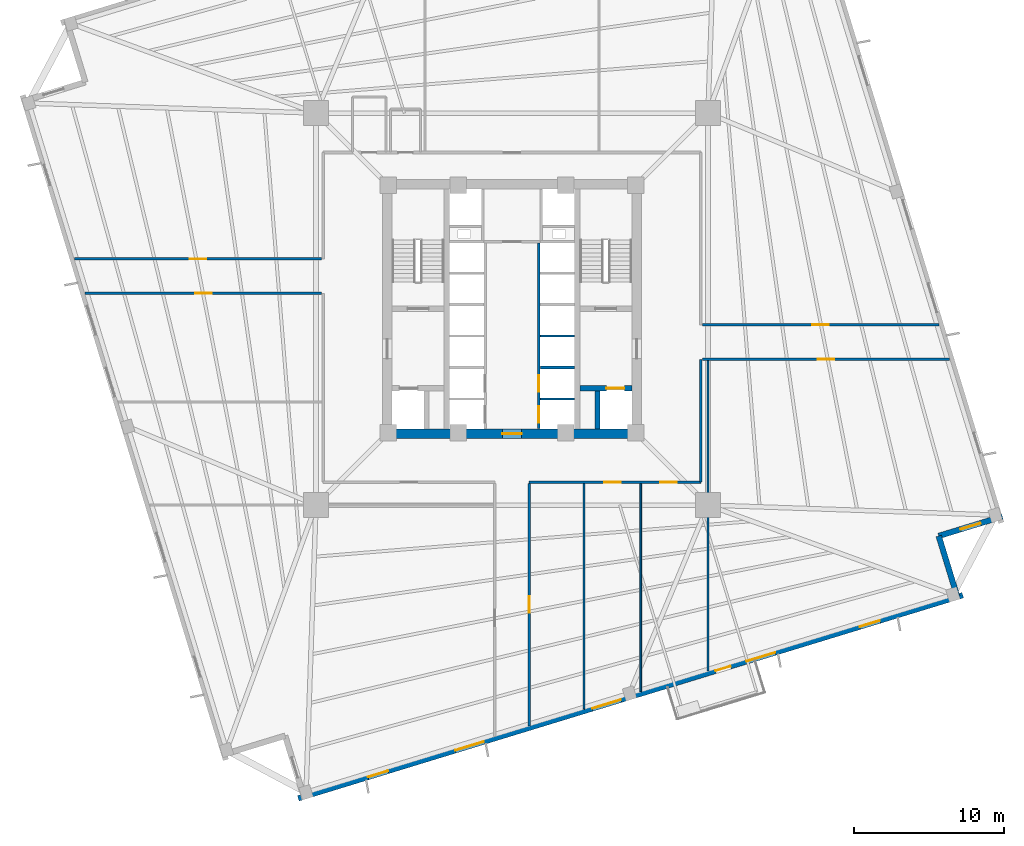
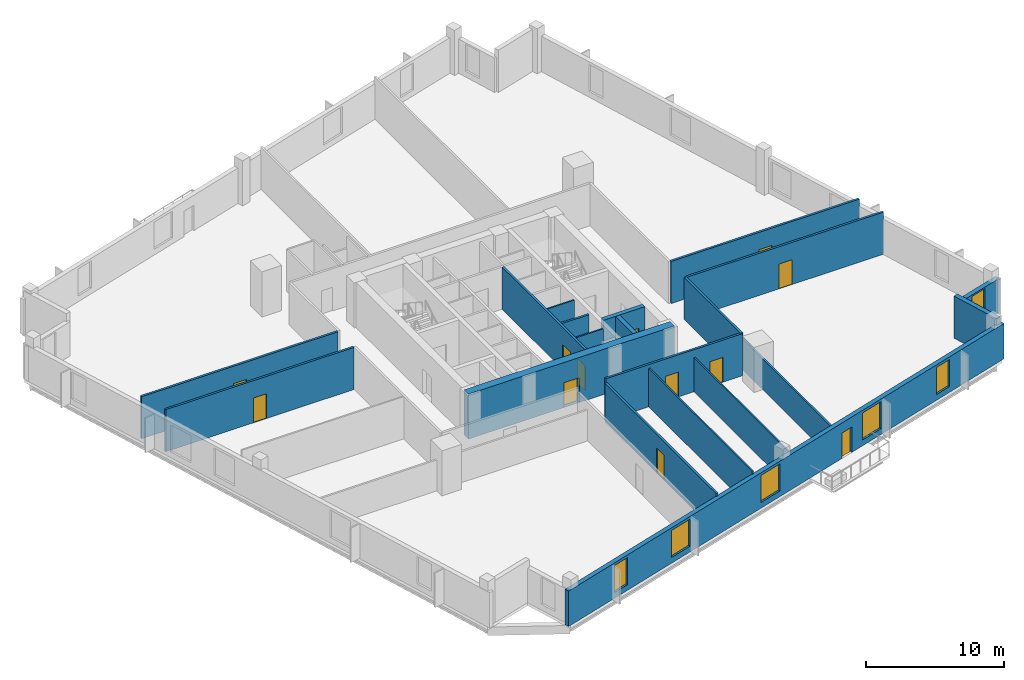
# One storey, part 3 of 8: 20 walls, 12 doors, 6 windows, 18 openings.
"""IFC4 building model written with IfcOpenShell, lengths in metres."""

from ifc_helpers import new_model, si_unit, direction, frame, frame_2d, origin, place, context, subcontext, project, spatial, rectangle, extrude, source, transform, mapped, material, layer, layer_set, type_object, element, fill, save


model = new_model("IFC4")

# Units and contexts
model_context = context("Model", 3, precision=1e-05, world=origin(), true_north=direction((0.0, 1.0)))
body_context = subcontext(model_context, "Body", "Model", "MODEL_VIEW")
ifc_project = project(units=[si_unit("LENGTHUNIT", "METRE"), si_unit("AREAUNIT", "SQUARE_METRE"), si_unit("VOLUMEUNIT", "CUBIC_METRE"), si_unit("PLANEANGLEUNIT", "RADIAN"), si_unit("MASSUNIT", "GRAM", prefix="KILO"), si_unit("THERMODYNAMICTEMPERATUREUNIT", "KELVIN")], contexts=[model_context])

# Site, building, storey
site_placement = place(None, origin())
site = spatial("IfcSite", under=ifc_project, at=site_placement, CompositionType="ELEMENT")
building_placement = place(site_placement, origin())
building = spatial("IfcBuilding", under=site, at=building_placement, Name="Kosmvard Interchange Tower", CompositionType="ELEMENT")
storey_placement = place(building_placement, frame((0.0, 0.0, 111.199951171875)))
storey = spatial("IfcBuildingStorey", under=building, at=storey_placement, Name="L26", CompositionType="ELEMENT", Elevation=111.199951171875)

# Wall
ifc_material_1 = material(Name="Acoustic gypsum partition system")
ifc_layer_1 = layer(ifc_material_1, 0.14990234375, Name="Acoustic gypsum partition system")
ifc_layer_set_1 = layer_set([ifc_layer_1], Name="Acoustic gypsum partition system")
wall_type_1 = type_object("IfcWallType", Name="Acoustic Suite & Meeting Partition 150", PredefinedType="PARTITIONING", material=ifc_layer_set_1)
wall_1_placement = place(storey_placement, frame((13.0810546875, -24.16650390625, 0.0), z_axis=(0.0, 0.0, 1.0), x_axis=(0.0, 1.0, 0.0)))
element("IfcWall", 1, at=wall_1_placement, inside=storey, type_object=wall_type_1, Name="L26 Room Partition 05.1", PredefinedType="PARTITIONING", context=body_context, shape_type="SweptSolid", body=[
    extrude(rectangle(XDim=20.721435546875, YDim=0.14990234375, at=frame_2d((10.36083984375, 0.0))), origin(), (0.0, 0.0, 1.0), 2.73193359375),
])

# Wall, openings, doors
ifc_material_2 = material(Name="Fire-rated gypsum partition system")
ifc_layer_2 = layer(ifc_material_2, 0.179931640625, Name="Fire-rated gypsum partition system")
ifc_layer_set_2 = layer_set([ifc_layer_2], Name="Fire-rated gypsum partition system")
wall_type_2 = type_object("IfcWallType", Name="Corridor & Hotel Compartment Partition 180", PredefinedType="PARTITIONING", material=ifc_layer_set_2)
wall_2_placement = place(storey_placement, frame((1.7900390625, -7.97998046875, 0.0), z_axis=(0.0, 0.0, 1.0), x_axis=(0.0, 1.0, 0.0)))
wall_2 = element("IfcWall", 2, at=wall_2_placement, inside=storey, type_object=wall_type_2, Name="L26 East Lift Bank Front Wall", PredefinedType="PARTITIONING", context=body_context, shape_type="SweptSolid", body=[
    extrude(rectangle(XDim=12.3798828125, YDim=0.179931640625, at=frame_2d((6.18994140625, 0.0))), origin(), (0.0, 0.0, 1.0), 3.739990234375),
])
opening_1_placement = place(wall_2_placement, frame((0.39990234375, 0.0, 0.0)))
opening_1 = element("IfcOpeningElement", 3, at=opening_1_placement, cuts=wall_2, Name="Opening LD-PL-L3-L26", PredefinedType="OPENING", context=body_context, shape_type="SweptSolid", body=[
    extrude(rectangle(XDim=1.10009765625, YDim=2.199951171875, at=frame_2d((0.550048828125, 1.10009765625))), frame((0.0, 0.10009765625, 0.0), z_axis=(0.0, -1.0, 0.0), x_axis=(1.0, 0.0, 0.0)), (0.0, 0.0, 1.0), 0.199951171875),
])
opening_2_placement = place(wall_2_placement, frame((2.4599609375, 0.0, 0.0)))
opening_2 = element("IfcOpeningElement", 4, at=opening_2_placement, cuts=wall_2, Name="Opening LD-PL-L4-L26", PredefinedType="OPENING", context=body_context, shape_type="SweptSolid", body=[
    extrude(rectangle(XDim=1.10009765625, YDim=2.199951171875, at=frame_2d((0.550048828125, 1.10009765625))), frame((0.0, 0.10009765625, 0.0), z_axis=(0.0, -1.0, 0.0), x_axis=(1.0, 0.0, 0.0)), (0.0, 0.0, 1.0), 0.199951171875),
])
ifc_material_3 = material(Name="Brushed stainless steel sliding leaf", Category="steel")
door_type_1 = type_object("IfcDoorType", Name="Passenger Lift Sliding Landing Door 1100x2200 EI60", OperationType="DOUBLE_DOOR_SLIDING", PredefinedType="DOOR", material=ifc_material_3)
shared_shape_1 = source(origin(), body_context, "Body", "SweptSolid", [
    extrude(rectangle(XDim=1.10009765625, YDim=2.199951171875, at=frame_2d((0.550048828125, 1.10009765625))), frame((0.0, 0.02490234375, 0.0), z_axis=(0.0, -1.0, 0.0), x_axis=(1.0, 0.0, 0.0)), (0.0, 0.0, 1.0), 0.050048828125),
])
door_1_placement = place(opening_1_placement, origin())
door_1 = element("IfcDoor", 5, at=door_1_placement, inside=storey, type_object=door_type_1, Name="Lift PL-L3 Landing Door L26", OperationType="DOUBLE_DOOR_SLIDING", OverallHeight=2.199951171875, OverallWidth=1.10009765625, PredefinedType="DOOR", context=body_context, shape_type="MappedRepresentation", body=[
    mapped(shared_shape_1, transform((0.0, 0.0, 0.0), scale=1.0)),
])
fill(opening_1, door_1)
door_2_placement = place(opening_2_placement, origin())
door_2 = element("IfcDoor", 6, at=door_2_placement, inside=storey, type_object=door_type_1, Name="Lift PL-L4 Landing Door L26", OperationType="DOUBLE_DOOR_SLIDING", OverallHeight=2.199951171875, OverallWidth=1.10009765625, PredefinedType="DOOR", context=body_context, shape_type="MappedRepresentation", body=[
    mapped(shared_shape_1, transform((0.0, 0.0, 0.0), scale=1.0)),
])
fill(opening_2, door_2)

wall_3_placement = place(storey_placement, frame((1.14990234375, -11.550048828125, 0.0), z_axis=(0.0, 0.0, 1.0), x_axis=(1.0, 0.0, 0.0)))
wall_3 = element("IfcWall", 7, at=wall_3_placement, inside=storey, type_object=wall_type_2, Name="L26 Corridor Wall CSE", PredefinedType="PARTITIONING", context=body_context, shape_type="SweptSolid", body=[
    extrude(rectangle(XDim=11.4501953125, YDim=0.179931640625, at=frame_2d((5.72509765625, 0.0))), origin(), (0.0, 0.0, 1.0), 3.739990234375),
])
opening_3_placement = place(wall_3_placement, frame((5.0, 0.0, 0.0)))
opening_3 = element("IfcOpeningElement", 8, at=opening_3_placement, cuts=wall_3, Name="Opening L26-D07", PredefinedType="OPENING", context=body_context, shape_type="SweptSolid", body=[
    extrude(rectangle(XDim=1.10009765625, YDim=2.199951171875, at=frame_2d((0.550048828125, 1.10009765625))), frame((0.0, 0.10009765625, 0.0), z_axis=(0.0, -1.0, 0.0), x_axis=(1.0, 0.0, 0.0)), (0.0, 0.0, 1.0), 0.199951171875),
])
opening_4_placement = place(wall_3_placement, frame((8.735595703125, 0.0, 0.0)))
opening_4 = element("IfcOpeningElement", 9, at=opening_4_placement, cuts=wall_3, Name="Opening L26-D08", PredefinedType="OPENING", context=body_context, shape_type="SweptSolid", body=[
    extrude(rectangle(XDim=1.10009765625, YDim=2.199951171875, at=frame_2d((0.550048828125, 1.10009765625))), frame((0.0, 0.10009765625, 0.0), z_axis=(0.0, -1.0, 0.0), x_axis=(1.0, 0.0, 0.0)), (0.0, 0.0, 1.0), 0.199951171875),
])
ifc_material_4 = material(Name="Engineered oak fire-rated timber", Category="wood")
door_type_2 = type_object("IfcDoorType", Name="Office Suite Entrance Door 1100x2200 FD30S", OperationType="NOTDEFINED", PredefinedType="DOOR", material=ifc_material_4)
door_3_placement = place(opening_3_placement, frame((1.10009765625, 0.0, 0.0), z_axis=(0.0, 0.0, 1.0), x_axis=(-1.0, 0.0, 0.0)))
door_3 = element("IfcDoor", 10, at=door_3_placement, inside=storey, type_object=door_type_2, Name="L26 Corporate Banking Kiosk Door", OperationType="SINGLE_SWING_LEFT", OverallHeight=2.199951171875, OverallWidth=1.10009765625, PredefinedType="DOOR", context=body_context, shape_type="MappedRepresentation", body=[
    mapped(shared_shape_1, transform((0.0, 0.0, 0.0), scale=1.0)),
])
fill(opening_3, door_3)
door_4_placement = place(opening_4_placement, frame((1.10009765625, 0.0, 0.0), z_axis=(0.0, 0.0, 1.0), x_axis=(-1.0, 0.0, 0.0)))
door_4 = element("IfcDoor", 11, at=door_4_placement, inside=storey, type_object=door_type_2, Name="L26 East Risk Office Door", OperationType="SINGLE_SWING_RIGHT", OverallHeight=2.199951171875, OverallWidth=1.10009765625, PredefinedType="DOOR", context=body_context, shape_type="MappedRepresentation", body=[
    mapped(shared_shape_1, transform((0.0, 0.0, 0.0), scale=1.0)),
])
fill(opening_4, door_4)

# Wall
wall_4_placement = place(storey_placement, frame((12.60009765625, -11.550048828125, 0.0), z_axis=(0.0, 0.0, 1.0), x_axis=(0.0, 1.0, 0.0)))
element("IfcWall", 12, at=wall_4_placement, inside=storey, type_object=wall_type_2, Name="L26 Corridor Wall CES", PredefinedType="PARTITIONING", context=body_context, shape_type="SweptSolid", body=[
    extrude(rectangle(XDim=8.199951171875, YDim=0.179931640625, at=frame_2d((4.10009765625, 0.0))), origin(), (0.0, 0.0, 1.0), 3.739990234375),
])

# Wall, opening, door
wall_5_placement = place(storey_placement, frame((-28.48681640625, 1.050048828125, 0.0), z_axis=(0.0, 0.0, 1.0), x_axis=(1.0, 0.0, 0.0)))
wall_5 = element("IfcWall", 13, at=wall_5_placement, inside=storey, type_object=wall_type_2, Name="L26 Corridor Wall SWS", PredefinedType="PARTITIONING", context=body_context, shape_type="SweptSolid", body=[
    extrude(rectangle(XDim=15.786865234375, YDim=0.179931640625, at=frame_2d((7.8935546875, 0.0))), origin(), (0.0, 0.0, 1.0), 3.739990234375),
])
opening_5_placement = place(wall_5_placement, frame((7.34326171875, 0.0, 0.0)))
opening_5 = element("IfcOpeningElement", 14, at=opening_5_placement, cuts=wall_5, Name="Opening L26-D10", PredefinedType="OPENING", context=body_context, shape_type="SweptSolid", body=[
    extrude(rectangle(XDim=1.10009765625, YDim=2.199951171875, at=frame_2d((0.550048828125, 1.10009765625))), frame((0.0, 0.10009765625, 0.0), z_axis=(0.0, -1.0, 0.0), x_axis=(1.0, 0.0, 0.0)), (0.0, 0.0, 1.0), 0.199951171875),
])
door_5_placement = place(opening_5_placement, frame((1.10009765625, 0.0, 0.0), z_axis=(0.0, 0.0, 1.0), x_axis=(-1.0, 0.0, 0.0)))
door_5 = element("IfcDoor", 15, at=door_5_placement, inside=storey, type_object=door_type_2, Name="L26 Coffee Bar Pantry Door", OperationType="SINGLE_SWING_RIGHT", OverallHeight=2.199951171875, OverallWidth=1.10009765625, PredefinedType="DOOR", context=body_context, shape_type="MappedRepresentation", body=[
    mapped(shared_shape_1, transform((0.0, 0.0, 0.0), scale=1.0)),
])
fill(opening_5, door_5)

wall_6_placement = place(storey_placement, frame((-29.18994140625, 3.35009765625, 0.0), z_axis=(0.0, 0.0, 1.0), x_axis=(1.0, 0.0, 0.0)))
wall_6 = element("IfcWall", 16, at=wall_6_placement, inside=storey, type_object=wall_type_2, Name="L26 Corridor Wall SWN", PredefinedType="PARTITIONING", context=body_context, shape_type="SweptSolid", body=[
    extrude(rectangle(XDim=16.489990234375, YDim=0.179931640625, at=frame_2d((8.2451171875, 0.0))), origin(), (0.0, 0.0, 1.0), 3.739990234375),
])
opening_6_placement = place(wall_6_placement, frame((7.695068359375, 0.0, 0.0)))
opening_6 = element("IfcOpeningElement", 17, at=opening_6_placement, cuts=wall_6, Name="Opening L26-D03", PredefinedType="OPENING", context=body_context, shape_type="SweptSolid", body=[
    extrude(rectangle(XDim=1.10009765625, YDim=2.199951171875, at=frame_2d((0.550048828125, 1.10009765625))), frame((0.0, 0.10009765625, 0.0), z_axis=(0.0, -1.0, 0.0), x_axis=(1.0, 0.0, 0.0)), (0.0, 0.0, 1.0), 0.199951171875),
])
door_6_placement = place(opening_6_placement, origin())
door_6 = element("IfcDoor", 18, at=door_6_placement, inside=storey, type_object=door_type_2, Name="L26 North-West Executive Lounge Door", OperationType="SINGLE_SWING_LEFT", OverallHeight=2.199951171875, OverallWidth=1.10009765625, PredefinedType="DOOR", context=body_context, shape_type="MappedRepresentation", body=[
    mapped(shared_shape_1, transform((0.0, 0.0, 0.0), scale=1.0)),
])
fill(opening_6, door_6)

wall_7_placement = place(storey_placement, frame((12.699951171875, -3.35009765625, 0.0), z_axis=(0.0, 0.0, 1.0), x_axis=(1.0, 0.0, 0.0)))
wall_7 = element("IfcWall", 19, at=wall_7_placement, inside=storey, type_object=wall_type_2, Name="L26 Corridor Wall SES", PredefinedType="PARTITIONING", context=body_context, shape_type="SweptSolid", body=[
    extrude(rectangle(XDim=16.489990234375, YDim=0.179931640625, at=frame_2d((8.2451171875, 0.0))), origin(), (0.0, 0.0, 1.0), 3.739990234375),
])
opening_7_placement = place(wall_7_placement, frame((7.720947265625, 0.0, 0.0)))
opening_7 = element("IfcOpeningElement", 20, at=opening_7_placement, cuts=wall_7, Name="Opening L26-D09", PredefinedType="OPENING", context=body_context, shape_type="SweptSolid", body=[
    extrude(rectangle(XDim=1.10009765625, YDim=2.199951171875, at=frame_2d((0.550048828125, 1.10009765625))), frame((0.0, 0.10009765625, 0.0), z_axis=(0.0, -1.0, 0.0), x_axis=(1.0, 0.0, 0.0)), (0.0, 0.0, 1.0), 0.199951171875),
])
door_7_placement = place(opening_7_placement, frame((1.10009765625, 0.0, 0.0), z_axis=(0.0, 0.0, 1.0), x_axis=(-1.0, 0.0, 0.0)))
door_7 = element("IfcDoor", 21, at=door_7_placement, inside=storey, type_object=door_type_2, Name="L26 East Quiet Study Door", OperationType="SINGLE_SWING_LEFT", OverallHeight=2.199951171875, OverallWidth=1.10009765625, PredefinedType="DOOR", context=body_context, shape_type="MappedRepresentation", body=[
    mapped(shared_shape_1, transform((0.0, 0.0, 0.0), scale=1.0)),
])
fill(opening_7, door_7)

wall_8_placement = place(storey_placement, frame((12.699951171875, -1.050048828125, 0.0), z_axis=(0.0, 0.0, 1.0), x_axis=(1.0, 0.0, 0.0)))
wall_8 = element("IfcWall", 22, at=wall_8_placement, inside=storey, type_object=wall_type_2, Name="L26 Corridor Wall SEN", PredefinedType="PARTITIONING", context=body_context, shape_type="SweptSolid", body=[
    extrude(rectangle(XDim=15.786865234375, YDim=0.179931640625, at=frame_2d((7.8935546875, 0.0))), origin(), (0.0, 0.0, 1.0), 3.739990234375),
])
opening_8_placement = place(wall_8_placement, frame((7.34326171875, 0.0, 0.0)))
opening_8 = element("IfcOpeningElement", 23, at=opening_8_placement, cuts=wall_8, Name="Opening L26-D05", PredefinedType="OPENING", context=body_context, shape_type="SweptSolid", body=[
    extrude(rectangle(XDim=1.10009765625, YDim=2.199951171875, at=frame_2d((0.550048828125, 1.10009765625))), frame((0.0, 0.10009765625, 0.0), z_axis=(0.0, -1.0, 0.0), x_axis=(1.0, 0.0, 0.0)), (0.0, 0.0, 1.0), 0.199951171875),
])
door_8_placement = place(opening_8_placement, origin())
door_8 = element("IfcDoor", 24, at=door_8_placement, inside=storey, type_object=door_type_2, Name="L26 North-East Reading Study Door", OperationType="SINGLE_SWING_LEFT", OverallHeight=2.199951171875, OverallWidth=1.10009765625, PredefinedType="DOOR", context=body_context, shape_type="MappedRepresentation", body=[
    mapped(shared_shape_1, transform((0.0, 0.0, 0.0), scale=1.0)),
])
fill(opening_8, door_8)

wall_9_placement = place(storey_placement, frame((1.14990234375, -27.814208984375, 0.0), z_axis=(0.0, 0.0, 1.0), x_axis=(0.0, 1.0, 0.0)))
wall_9 = element("IfcWall", 25, at=wall_9_placement, inside=storey, type_object=wall_type_2, Name="L26 Corridor Wall SSE", PredefinedType="PARTITIONING", context=body_context, shape_type="SweptSolid", body=[
    extrude(rectangle(XDim=16.164306640625, YDim=0.179931640625, at=frame_2d((8.08203125, 0.0))), origin(), (0.0, 0.0, 1.0), 3.41015625),
])
opening_9_placement = place(wall_9_placement, frame((7.531982421875, 0.0, 0.0)))
opening_9 = element("IfcOpeningElement", 26, at=opening_9_placement, cuts=wall_9, Name="Opening L26-D06", PredefinedType="OPENING", context=body_context, shape_type="SweptSolid", body=[
    extrude(rectangle(XDim=1.10009765625, YDim=2.199951171875, at=frame_2d((0.550048828125, 1.10009765625))), frame((0.0, 0.10009765625, 0.0), z_axis=(0.0, -1.0, 0.0), x_axis=(1.0, 0.0, 0.0)), (0.0, 0.0, 1.0), 0.199951171875),
])
door_9_placement = place(opening_9_placement, frame((1.10009765625, 0.0, 0.0), z_axis=(0.0, 0.0, 1.0), x_axis=(-1.0, 0.0, 0.0)))
door_9 = element("IfcDoor", 27, at=door_9_placement, inside=storey, type_object=door_type_2, Name="L26 Exchange Travel Shop Door", OperationType="SINGLE_SWING_RIGHT", OverallHeight=2.199951171875, OverallWidth=1.10009765625, PredefinedType="DOOR", context=body_context, shape_type="MappedRepresentation", body=[
    mapped(shared_shape_1, transform((0.0, 0.0, 0.0), scale=1.0)),
])
fill(opening_9, door_9)

# Wall, openings, door, windows
ifc_material_5 = material(Name="Precast concrete C45/55", Category="concrete")
ifc_layer_3 = layer(ifc_material_5, 0.3798828125, Name="Precast concrete C45/55")
ifc_layer_set_3 = layer_set([ifc_layer_3], Name="Precast concrete C45/55")
wall_type_3 = type_object("IfcWallType", Name="Lower Tower Precast Pier Wall 380 C45/55", PredefinedType="STANDARD", material=ifc_layer_set_3)
wall_10_placement = place(storey_placement, frame((-14.26513671875, -32.65771484375, 0.0), z_axis=(0.0, 0.0, 1.0), x_axis=(0.956304320851, 0.292373127906, 0.0)))
wall_10 = element("IfcWall", 28, at=wall_10_placement, inside=storey, type_object=wall_type_3, Name="L26 Precast Facade Wall F-S", PredefinedType="STANDARD", context=body_context, shape_type="SweptSolid", body=[
    extrude(rectangle(XDim=46.380126953125, YDim=0.3798828125, at=frame_2d((23.18994140625, 0.0))), origin(), (0.0, 0.0, 1.0), 3.14013671875),
])
opening_10_placement = place(wall_10_placement, frame((29.114990234375, 0.0, 0.0)))
opening_10 = element("IfcOpeningElement", 29, at=opening_10_placement, cuts=wall_10, Name="Opening L26-BDW", PredefinedType="OPENING", context=body_context, shape_type="SweptSolid", body=[
    extrude(rectangle(XDim=1.050048828125, YDim=2.25, at=frame_2d((0.52490234375, 1.125))), frame((0.0, 0.199951171875, 0.0), z_axis=(0.0, -1.0, 0.0), x_axis=(1.0, 0.0, 0.0)), (0.0, 0.0, 1.0), 0.39990234375),
])
opening_11_placement = place(wall_10_placement, frame((4.865478515625, 0.0, 0.510009765625)))
opening_11 = element("IfcOpeningElement", 30, at=opening_11_placement, cuts=wall_10, Name="Opening L26-W01", PredefinedType="OPENING", context=body_context, shape_type="SweptSolid", body=[
    extrude(rectangle(XDim=1.39990234375, YDim=2.39990234375, at=frame_2d((0.699951171875, 1.199951171875))), frame((0.0, 0.199951171875, 0.0), z_axis=(0.0, -1.0, 0.0), x_axis=(1.0, 0.0, 0.0)), (0.0, 0.0, 1.0), 0.39990234375),
])
opening_12_placement = place(wall_10_placement, frame((10.9501953125, 0.0, 0.510009765625)))
opening_12 = element("IfcOpeningElement", 31, at=opening_12_placement, cuts=wall_10, Name="Opening L26-W02", PredefinedType="OPENING", context=body_context, shape_type="SweptSolid", body=[
    extrude(rectangle(XDim=2.0, YDim=2.39990234375, at=frame_2d((1.0, 1.199951171875))), frame((0.0, 0.199951171875, 0.0), z_axis=(0.0, -1.0, 0.0), x_axis=(1.0, 0.0, 0.0)), (0.0, 0.0, 1.0), 0.39990234375),
])
opening_13_placement = place(wall_10_placement, frame((20.512451171875, 0.0, 0.510009765625)))
opening_13 = element("IfcOpeningElement", 32, at=opening_13_placement, cuts=wall_10, Name="Opening L26-W03", PredefinedType="OPENING", context=body_context, shape_type="SweptSolid", body=[
    extrude(rectangle(XDim=2.0, YDim=2.39990234375, at=frame_2d((1.0, 1.199951171875))), frame((0.0, 0.199951171875, 0.0), z_axis=(0.0, -1.0, 0.0), x_axis=(1.0, 0.0, 0.0)), (0.0, 0.0, 1.0), 0.39990234375),
])
opening_14_placement = place(wall_10_placement, frame((31.288330078125, 0.0, 0.510009765625)))
opening_14 = element("IfcOpeningElement", 33, at=opening_14_placement, cuts=wall_10, Name="Opening L26-W04", PredefinedType="OPENING", context=body_context, shape_type="SweptSolid", body=[
    extrude(rectangle(XDim=2.0, YDim=2.39990234375, at=frame_2d((1.0, 1.199951171875))), frame((0.0, 0.199951171875, 0.0), z_axis=(0.0, -1.0, 0.0), x_axis=(1.0, 0.0, 0.0)), (0.0, 0.0, 1.0), 0.39990234375),
])
opening_15_placement = place(wall_10_placement, frame((39.186767578125, 0.0, 0.510009765625)))
opening_15 = element("IfcOpeningElement", 34, at=opening_15_placement, cuts=wall_10, Name="Opening L26-W05", PredefinedType="OPENING", context=body_context, shape_type="SweptSolid", body=[
    extrude(rectangle(XDim=1.39990234375, YDim=2.39990234375, at=frame_2d((0.699951171875, 1.199951171875))), frame((0.0, 0.199951171875, 0.0), z_axis=(0.0, -1.0, 0.0), x_axis=(1.0, 0.0, 0.0)), (0.0, 0.0, 1.0), 0.39990234375),
])
ifc_material_6 = material(Name="Anodised aluminium and safety glass", Category="aluminium")
door_type_3 = type_object("IfcDoorType", Name="Tree-Balcony Glazed Door 1050x2250", OperationType="NOTDEFINED", PredefinedType="DOOR", material=ifc_material_6)
shared_shape_2 = source(origin(), body_context, "Body", "SweptSolid", [
    extrude(rectangle(XDim=1.050048828125, YDim=2.25, at=frame_2d((0.52490234375, 1.125))), frame((0.0, 0.02490234375, 0.0), z_axis=(0.0, -1.0, 0.0), x_axis=(1.0, 0.0, 0.0)), (0.0, 0.0, 1.0), 0.050048828125),
])
door_10_placement = place(opening_10_placement, origin())
door_10 = element("IfcDoor", 35, at=door_10_placement, inside=storey, type_object=door_type_3, Name="L26 Tree-Balcony Door BAL-L26-SW", OperationType="SINGLE_SWING_LEFT", OverallHeight=2.25, OverallWidth=1.050048828125, PredefinedType="DOOR", context=body_context, shape_type="MappedRepresentation", body=[
    mapped(shared_shape_2, transform((0.0, 0.0, 0.0), scale=1.0)),
])
fill(opening_10, door_10)
ifc_material_7 = material(Name="Low-E solar-control double glazing", Category="glass")
window_type_1 = type_object("IfcWindowType", Name="Notched Corner Feature Window 1400x2400", PartitioningType="SINGLE_PANEL", PredefinedType="WINDOW", material=ifc_material_7)
shared_shape_3 = source(origin(), body_context, "Body", "SweptSolid", [
    extrude(rectangle(XDim=1.39990234375, YDim=2.39990234375, at=frame_2d((0.699951171875, 1.199951171875))), frame((0.0, 0.030029296875, 0.0), z_axis=(0.0, -1.0, 0.0), x_axis=(1.0, 0.0, 0.0)), (0.0, 0.0, 1.0), 0.06005859375),
])
window_1_placement = place(opening_11_placement, origin())
window_1 = element("IfcWindow", 36, at=window_1_placement, inside=storey, type_object=window_type_1, Name="L26 Facade Punched Window 01", OverallHeight=2.39990234375, OverallWidth=1.39990234375, PartitioningType="SINGLE_PANEL", PredefinedType="WINDOW", context=body_context, shape_type="MappedRepresentation", body=[
    mapped(shared_shape_3, transform((0.0, 0.0, 0.0), scale=1.0)),
])
fill(opening_11, window_1)
window_2_placement = place(opening_15_placement, origin())
window_2 = element("IfcWindow", 37, at=window_2_placement, inside=storey, type_object=window_type_1, Name="L26 Facade Punched Window 05", OverallHeight=2.39990234375, OverallWidth=1.39990234375, PartitioningType="SINGLE_PANEL", PredefinedType="WINDOW", context=body_context, shape_type="MappedRepresentation", body=[
    mapped(shared_shape_3, transform((0.0, 0.0, 0.0), scale=1.0)),
])
fill(opening_15, window_2)
window_type_2 = type_object("IfcWindowType", Name="Zone 2 Office Punched Window 2000x2400", PartitioningType="SINGLE_PANEL", PredefinedType="WINDOW", material=ifc_material_7)
shared_shape_4 = source(origin(), body_context, "Body", "SweptSolid", [
    extrude(rectangle(XDim=2.0, YDim=2.39990234375, at=frame_2d((1.0, 1.199951171875))), frame((0.0, 0.030029296875, 0.0), z_axis=(0.0, -1.0, 0.0), x_axis=(1.0, 0.0, 0.0)), (0.0, 0.0, 1.0), 0.06005859375),
])
window_3_placement = place(opening_12_placement, origin())
window_3 = element("IfcWindow", 38, at=window_3_placement, inside=storey, type_object=window_type_2, Name="L26 Facade Punched Window 02", OverallHeight=2.39990234375, OverallWidth=2.0, PartitioningType="SINGLE_PANEL", PredefinedType="WINDOW", context=body_context, shape_type="MappedRepresentation", body=[
    mapped(shared_shape_4, transform((0.0, 0.0, 0.0), scale=1.0)),
])
fill(opening_12, window_3)
window_4_placement = place(opening_13_placement, origin())
window_4 = element("IfcWindow", 39, at=window_4_placement, inside=storey, type_object=window_type_2, Name="L26 Facade Punched Window 03", OverallHeight=2.39990234375, OverallWidth=2.0, PartitioningType="SINGLE_PANEL", PredefinedType="WINDOW", context=body_context, shape_type="MappedRepresentation", body=[
    mapped(shared_shape_4, transform((0.0, 0.0, 0.0), scale=1.0)),
])
fill(opening_13, window_4)
window_5_placement = place(opening_14_placement, origin())
window_5 = element("IfcWindow", 40, at=window_5_placement, inside=storey, type_object=window_type_2, Name="L26 Facade Punched Window 04", OverallHeight=2.39990234375, OverallWidth=2.0, PartitioningType="SINGLE_PANEL", PredefinedType="WINDOW", context=body_context, shape_type="MappedRepresentation", body=[
    mapped(shared_shape_4, transform((0.0, 0.0, 0.0), scale=1.0)),
])
fill(opening_14, window_5)

# Wall
wall_11_placement = place(storey_placement, frame((29.724853515625, -19.20849609375, 0.0), z_axis=(0.0, 0.0, 1.0), x_axis=(-0.292345507338, 0.956312764915, 0.0)))
element("IfcWall", 41, at=wall_11_placement, inside=storey, type_object=wall_type_3, Name="L26 Precast Facade Wall N-SE1", PredefinedType="STANDARD", context=body_context, shape_type="SweptSolid", body=[
    extrude(rectangle(XDim=4.249755859375, YDim=0.3798828125, at=frame_2d((2.125, 0.0))), origin(), (0.0, 0.0, 1.0), 3.739990234375),
])

# Wall, opening, window
wall_12_placement = place(storey_placement, frame((28.482421875, -15.144287109375, 0.0), z_axis=(0.0, 0.0, 1.0), x_axis=(0.956304176051, 0.292373601522, 0.0)))
wall_12 = element("IfcWall", 42, at=wall_12_placement, inside=storey, type_object=wall_type_3, Name="L26 Precast Facade Wall N-SE2", PredefinedType="STANDARD", context=body_context, shape_type="SweptSolid", body=[
    extrude(rectangle(XDim=4.43994140625, YDim=0.3798828125, at=frame_2d((2.219970703125, 0.0))), origin(), (0.0, 0.0, 1.0), 3.0400390625),
])
opening_16_placement = place(wall_12_placement, frame((1.52001953125, 0.0, 0.510009765625)))
opening_16 = element("IfcOpeningElement", 43, at=opening_16_placement, cuts=wall_12, Name="Opening L26-W20", PredefinedType="OPENING", context=body_context, shape_type="SweptSolid", body=[
    extrude(rectangle(XDim=1.39990234375, YDim=2.39990234375, at=frame_2d((0.699951171875, 1.199951171875))), frame((0.0, 0.199951171875, 0.0), z_axis=(0.0, -1.0, 0.0), x_axis=(1.0, 0.0, 0.0)), (0.0, 0.0, 1.0), 0.39990234375),
])
window_6_placement = place(opening_16_placement, origin())
window_6 = element("IfcWindow", 44, at=window_6_placement, inside=storey, type_object=window_type_1, Name="L26 Corner Notch Window 20", OverallHeight=2.39990234375, OverallWidth=1.39990234375, PartitioningType="SINGLE_PANEL", PredefinedType="WINDOW", context=body_context, shape_type="MappedRepresentation", body=[
    mapped(shared_shape_3, transform((0.0, 0.0, 0.0), scale=1.0)),
])
fill(opening_16, window_6)

# Wall, opening, door
ifc_material_8 = material(Name="Concrete C70/85", Category="concrete")
ifc_layer_4 = layer(ifc_material_8, 0.64990234375, Name="Concrete C70/85")
ifc_layer_set_4 = layer_set([ifc_layer_4], Name="Concrete C70/85")
wall_type_4 = type_object("IfcWallType", Name="Mid Core Shear Wall 650 C70/85", PredefinedType="SHEAR", material=ifc_layer_set_4)
wall_13_placement = place(storey_placement, frame((-8.64990234375, -8.324951171875, 0.0), z_axis=(0.0, 0.0, 1.0), x_axis=(1.0, 0.0, 0.0)))
wall_13 = element("IfcWall", 45, at=wall_13_placement, inside=storey, type_object=wall_type_4, Name="L26 Core Shear Wall CW-S", PredefinedType="SHEAR", context=body_context, shape_type="SweptSolid", body=[
    extrude(rectangle(XDim=17.2998046875, YDim=0.64990234375, at=frame_2d((8.64990234375, 0.0))), origin(), (0.0, 0.0, 1.0), 4.0),
])
opening_17_placement = place(wall_13_placement, frame((8.0, 0.0, 0.0)))
opening_17 = element("IfcOpeningElement", 46, at=opening_17_placement, cuts=wall_13, Name="Opening L26-LD0", PredefinedType="OPENING", context=body_context, shape_type="SweptSolid", body=[
    extrude(rectangle(XDim=1.300048828125, YDim=2.199951171875, at=frame_2d((0.64990234375, 1.10009765625))), frame((0.0, 0.3349609375, 0.0), z_axis=(0.0, -1.0, 0.0), x_axis=(1.0, 0.0, 0.0)), (0.0, 0.0, 1.0), 0.669921875),
])
ifc_material_9 = material(Name="Painted fire-rated steel leaf", Category="steel")
door_type_4 = type_object("IfcDoorType", Name="Firefighting Lobby Door 1300x2200 EI60", OperationType="NOTDEFINED", PredefinedType="DOOR", material=ifc_material_9)
shared_shape_5 = source(origin(), body_context, "Body", "SweptSolid", [
    extrude(rectangle(XDim=1.300048828125, YDim=2.199951171875, at=frame_2d((0.64990234375, 1.10009765625))), frame((0.0, 0.02490234375, 0.0), z_axis=(0.0, -1.0, 0.0), x_axis=(1.0, 0.0, 0.0)), (0.0, 0.0, 1.0), 0.050048828125),
])
door_11_placement = place(opening_17_placement, frame((1.300048828125, 0.0, 0.0), z_axis=(0.0, 0.0, 1.0), x_axis=(-1.0, 0.0, 0.0)))
door_11 = element("IfcDoor", 47, at=door_11_placement, inside=storey, type_object=door_type_4, Name="L26 Passenger Lift Lobby South Door", OperationType="SINGLE_SWING_RIGHT", OverallHeight=2.199951171875, OverallWidth=1.300048828125, PredefinedType="DOOR", context=body_context, shape_type="MappedRepresentation", body=[
    mapped(shared_shape_5, transform((0.0, 0.0, 0.0), scale=1.0)),
])
fill(opening_17, door_11)

# Walls
ifc_material_10 = material(Name="Gypsum board partition system")
ifc_layer_5 = layer(ifc_material_10, 0.1201171875, Name="Gypsum board partition system")
ifc_layer_set_5 = layer_set([ifc_layer_5], Name="Gypsum board partition system")
wall_type_5 = type_object("IfcWallType", Name="Office Cellular Partition 120", PredefinedType="PARTITIONING", material=ifc_layer_set_5)
wall_14_placement = place(storey_placement, frame((4.800048828125, -26.6982421875, 0.0), z_axis=(0.0, 0.0, 1.0), x_axis=(0.0, 1.0, 0.0)))
element("IfcWall", 48, at=wall_14_placement, inside=storey, type_object=wall_type_5, Name="L26 Room Partition 03.1", PredefinedType="PARTITIONING", context=body_context, shape_type="SweptSolid", body=[
    extrude(rectangle(XDim=15.05322265625, YDim=0.1201171875, at=frame_2d((7.526611328125, 0.0))), origin(), (0.0, 0.0, 1.0), 3.41015625),
])
wall_15_placement = place(storey_placement, frame((8.60009765625, -25.536376953125, 0.0), z_axis=(0.0, 0.0, 1.0), x_axis=(0.0, 1.0, 0.0)))
element("IfcWall", 49, at=wall_15_placement, inside=storey, type_object=wall_type_5, Name="L26 Room Partition 04.1", PredefinedType="PARTITIONING", context=body_context, shape_type="SweptSolid", body=[
    extrude(rectangle(XDim=13.891357421875, YDim=0.1201171875, at=frame_2d((6.94580078125, 0.0))), origin(), (0.0, 0.0, 1.0), 3.0400390625),
])
ifc_material_11 = material(Name="Concrete blockwork masonry", Category="masonry")
ifc_layer_6 = layer(ifc_material_11, 0.179931640625, Name="Concrete blockwork masonry")
ifc_layer_set_6 = layer_set([ifc_layer_6], Name="Concrete blockwork masonry")
wall_type_6 = type_object("IfcWallType", Name="Riser & Lift Bank Divider Wall 180", PredefinedType="PARTITIONING", material=ifc_layer_set_6)
wall_16_placement = place(storey_placement, frame((1.889892578125, -3.89990234375, 0.0), z_axis=(0.0, 0.0, 1.0), x_axis=(1.0, 0.0, 0.0)))
element("IfcWall", 50, at=wall_16_placement, inside=storey, type_object=wall_type_6, Name="L26 East Bank Divider BD1", PredefinedType="PARTITIONING", context=body_context, shape_type="SweptSolid", body=[
    extrude(rectangle(XDim=2.280029296875, YDim=0.179931640625, at=frame_2d((1.14013671875, 0.0))), origin(), (0.0, 0.0, 1.0), 3.739990234375),
])
ifc_material_12 = material(Name="Fire-rated gypsum shaftwall system")
ifc_layer_7 = layer(ifc_material_12, 0.1201171875, Name="Fire-rated gypsum shaftwall system")
ifc_layer_set_7 = layer_set([ifc_layer_7], Name="Fire-rated gypsum shaftwall system")
wall_type_7 = type_object("IfcWallType", Name="Shaft & Riser Fire Partition 120 EI60", PredefinedType="PARTITIONING", material=ifc_layer_set_7)
for number, where, z_axis, x_axis, name in (
    (51, (1.89990234375, -6.0, 0.0), (0.0, 0.0, 1.0), (1.0, 0.0, 0.0), "L26 Shaft Divider PL-L3"),
    (52, (1.89990234375, -1.800048828125, 0.0), (0.0, 0.0, 1.0), (1.0, 0.0, 0.0), "L26 Shaft Divider PL-M3"),
):
    element("IfcWall", number, at=place(storey_placement, frame(where, z_axis=z_axis, x_axis=x_axis)), inside=storey, type_object=wall_type_7, Name=name, PredefinedType="PARTITIONING", context=body_context, shape_type="SweptSolid", body=[
        extrude(rectangle(XDim=2.260009765625, YDim=0.1201171875, at=frame_2d((1.1298828125, 0.0))), origin(), (0.0, 0.0, 1.0), 3.739990234375),
    ])

# Wall, opening, door
ifc_material_13 = material(Name="Concrete C60/75", Category="concrete")
ifc_layer_8 = layer(ifc_material_13, 0.360107421875, Name="Concrete C60/75")
ifc_layer_set_8 = layer_set([ifc_layer_8], Name="Concrete C60/75")
wall_type_8 = type_object("IfcWallType", Name="Stair & Lift Shaft Shear Wall 360 C60/75", PredefinedType="SHEAR", material=ifc_layer_set_8)
wall_17_placement = place(storey_placement, frame((4.5400390625, -5.280029296875, 0.0), z_axis=(0.0, 0.0, 1.0), x_axis=(1.0, 0.0, 0.0)))
wall_17 = element("IfcWall", 53, at=wall_17_placement, inside=storey, type_object=wall_type_8, Name="L26 Shaft Shear Wall SW-FF2", PredefinedType="SHEAR", context=body_context, shape_type="SweptSolid", body=[
    extrude(rectangle(XDim=3.4599609375, YDim=0.360107421875, at=frame_2d((1.72998046875, 0.0))), origin(), (0.0, 0.0, 1.0), 4.0),
])
opening_18_placement = place(wall_17_placement, frame((1.760009765625, 0.0, 0.0)))
opening_18 = element("IfcOpeningElement", 54, at=opening_18_placement, cuts=wall_17, Name="Opening LD-FF-2-L26", PredefinedType="OPENING", context=body_context, shape_type="SweptSolid", body=[
    extrude(rectangle(XDim=1.199951171875, YDim=2.25, at=frame_2d((0.60009765625, 1.125))), frame((0.0, 0.18994140625, 0.0), z_axis=(0.0, -1.0, 0.0), x_axis=(1.0, 0.0, 0.0)), (0.0, 0.0, 1.0), 0.380126953125),
])
door_type_5 = type_object("IfcDoorType", Name="Firefighting Lift Sliding Landing Door 1200x2250 EI120", OperationType="DOUBLE_DOOR_SLIDING", PredefinedType="DOOR", material=ifc_material_3)
shared_shape_6 = source(origin(), body_context, "Body", "SweptSolid", [
    extrude(rectangle(XDim=1.199951171875, YDim=2.25, at=frame_2d((0.60009765625, 1.125))), frame((0.0, 0.02490234375, 0.0), z_axis=(0.0, -1.0, 0.0), x_axis=(1.0, 0.0, 0.0)), (0.0, 0.0, 1.0), 0.050048828125),
])
door_12_placement = place(opening_18_placement, origin())
door_12 = element("IfcDoor", 55, at=door_12_placement, inside=storey, type_object=door_type_5, Name="Lift FF-2 Landing Door L26", OperationType="DOUBLE_DOOR_SLIDING", OverallHeight=2.25, OverallWidth=1.199951171875, PredefinedType="DOOR", context=body_context, shape_type="MappedRepresentation", body=[
    mapped(shared_shape_6, transform((0.0, 0.0, 0.0), scale=1.0)),
])
fill(opening_18, door_12)

# Wall
wall_18_placement = place(storey_placement, frame((5.7099609375, -8.0, 0.0), z_axis=(0.0, 0.0, 1.0), x_axis=(0.0, 1.0, 0.0)))
element("IfcWall", 56, at=wall_18_placement, inside=storey, type_object=wall_type_8, Name="L26 Shaft Shear Wall SW-SM2", PredefinedType="SHEAR", context=body_context, shape_type="SweptSolid", body=[
    extrude(rectangle(XDim=2.5400390625, YDim=0.360107421875, at=frame_2d((1.27001953125, 0.0))), origin(), (0.0, 0.0, 1.0), 4.0),
])

save(model, "model.ifc")
